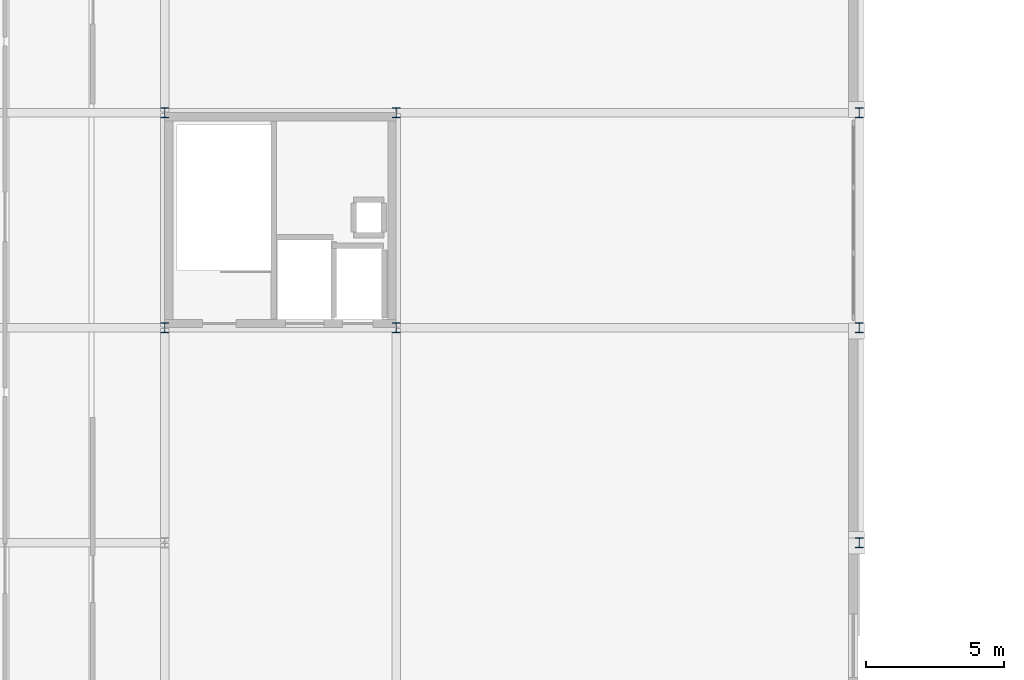
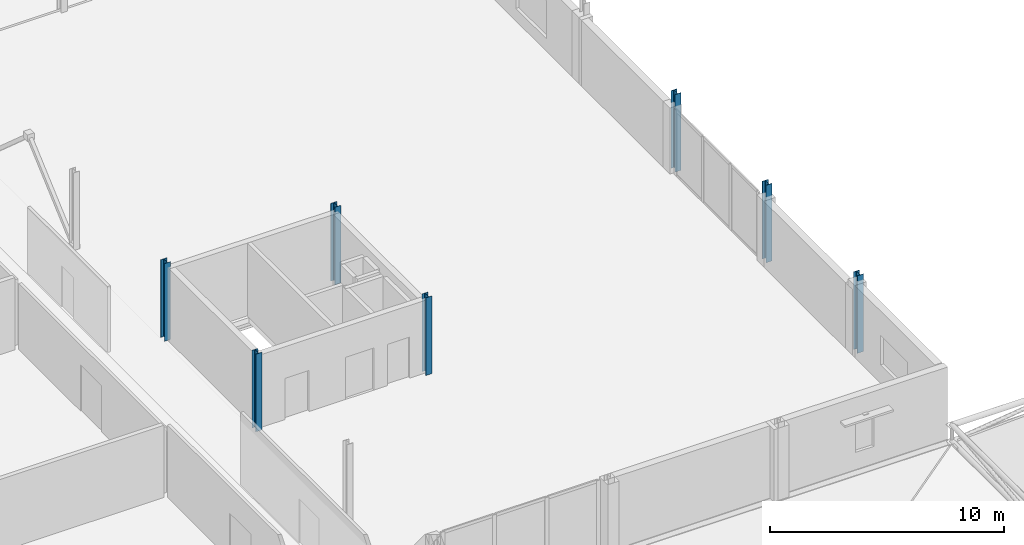
# One storey, part 2 of 77: 7 columns.
"""IFC4 building model written with IfcOpenShell, lengths in metres."""

from ifc_helpers import new_model, si_unit, direction, frame, origin, origin_2d, place, context, subcontext, project, spatial, i_section, extrude, material, material_profile, profile_set, type_object, element, save


model = new_model("IFC4")

# Units and contexts
model_context = context("Model", 3, precision=1e-05, world=origin(), true_north=direction((0.0, 1.0)))
body_context = subcontext(model_context, "Body", "Model", "MODEL_VIEW")
ifc_project = project(units=[si_unit("LENGTHUNIT", "METRE"), si_unit("AREAUNIT", "SQUARE_METRE"), si_unit("VOLUMEUNIT", "CUBIC_METRE"), si_unit("PLANEANGLEUNIT", "RADIAN"), si_unit("MASSUNIT", "GRAM", prefix="KILO")], contexts=[model_context])

# Site, building, storey
site_placement = place(None, origin())
site = spatial("IfcSite", under=ifc_project, at=site_placement, CompositionType="ELEMENT")
building_placement = place(site_placement, origin())
building = spatial("IfcBuilding", under=site, at=building_placement, Name="Nabrawat Pavilion Hospital", CompositionType="ELEMENT")
storey_placement = place(building_placement, frame((0.0, 0.0, 14.85009765625)))
storey = spatial("IfcBuildingStorey", under=building, at=storey_placement, Name="L03", CompositionType="ELEMENT", Elevation=14.85009765625)

# Columns
ifc_material = material(Name="Steel S355", Category="steel")
ifc_material_profile = material_profile(ifc_material, i_section(OverallWidth=0.300048828125, OverallDepth=0.35009765625, WebThickness=0.009521484375, FlangeThickness=0.017578125, FilletRadius=0.027099609375, at=origin_2d()), Name="HEA 360")
ifc_profile_set = profile_set([ifc_material_profile], Name="Steel S355")
column_type = type_object("IfcColumnType", Name="Pavilion Top Steel Column HEA 360", PredefinedType="COLUMN", material=ifc_profile_set)
for number, where, z_axis, x_axis, name in (
    (1, (33.60009765625, 54.60009765625, 0.0), (0.0, 0.0, 1.0), (1.0, 0.0, 0.0), "L03 Structural Column G-5-H"),
    (2, (33.60009765625, 62.39990234375, 0.0), (0.0, 0.0, 1.0), (1.0, 0.0, 0.0), "L03 Structural Column G-5-J"),
    (3, (42.0, 54.60009765625, 0.0), (0.0, 0.0, 1.0), (1.0, 0.0, 0.0), "L03 Structural Column G-6-H"),
    (4, (42.0, 62.39990234375, 0.0), (0.0, 0.0, 1.0), (1.0, 0.0, 0.0), "L03 Structural Column G-6-J"),
    (5, (58.800048828125, 46.800048828125, 0.0), (0.0, 0.0, 1.0), (1.0, 0.0, 0.0), "L03 Structural Column G-8A-G"),
    (6, (58.800048828125, 54.60009765625, 0.0), (0.0, 0.0, 1.0), (1.0, 0.0, 0.0), "L03 Structural Column G-8A-H"),
    (7, (58.800048828125, 62.39990234375, 0.0), (0.0, 0.0, 1.0), (1.0, 0.0, 0.0), "L03 Structural Column G-8A-J"),
):
    element("IfcColumn", number, at=place(storey_placement, frame(where, z_axis=z_axis, x_axis=x_axis)), inside=storey, type_object=column_type, Name=name, PredefinedType="COLUMN", context=body_context, shape_type="SweptSolid", body=[
        extrude(i_section(OverallWidth=0.300048828125, OverallDepth=0.35009765625, WebThickness=0.009521484375, FlangeThickness=0.017578125, FilletRadius=0.027099609375, at=origin_2d()), origin(), (0.0, 0.0, 1.0), 4.0498046875),
    ])

save(model, "model.ifc")
